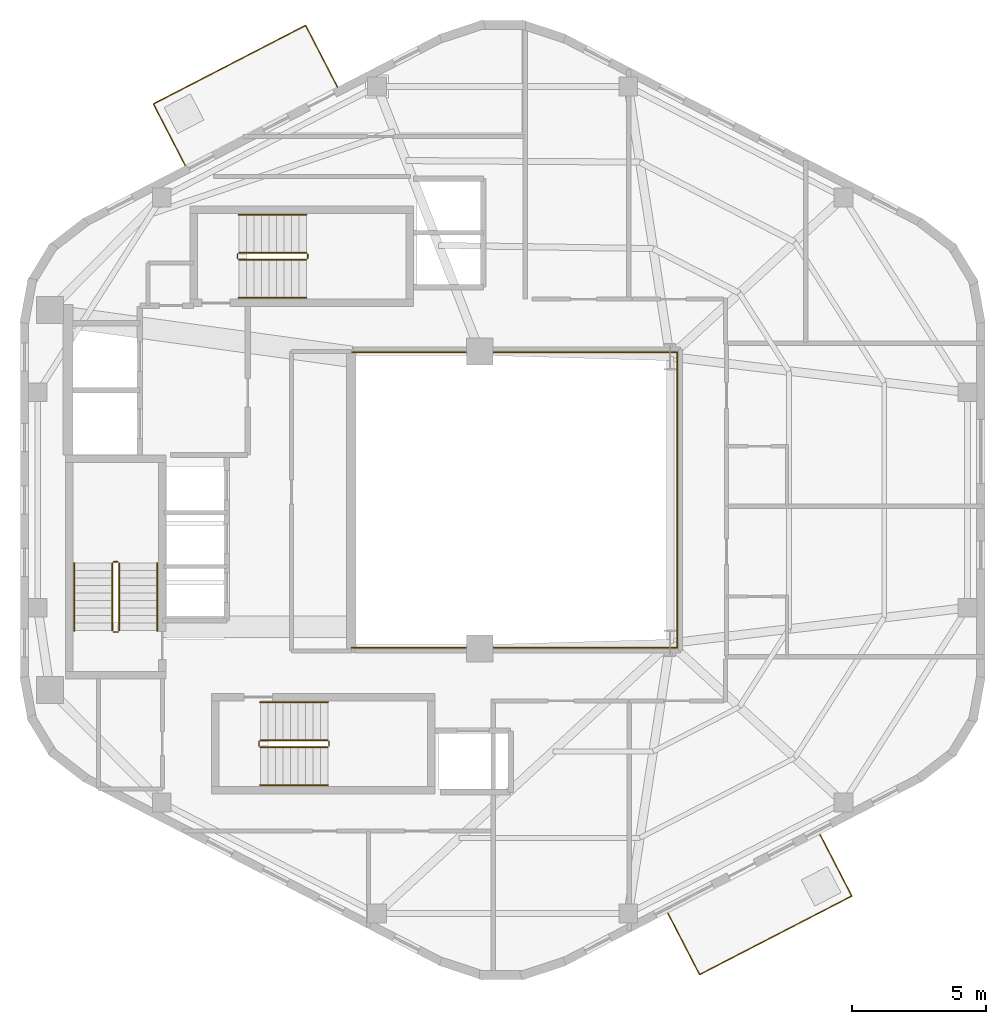
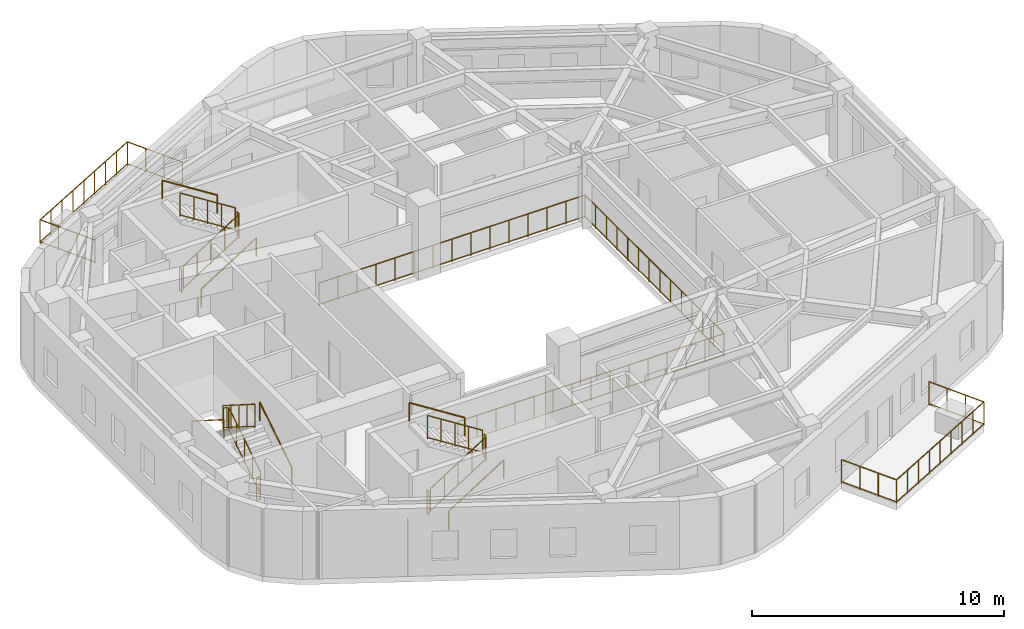
# One storey, part 6 of 7: 21 railings.
"""IFC4 building model written with IfcOpenShell, lengths in metres."""

from ifc_helpers import new_model, si_unit, direction, frame, origin, origin_2d, place, context, subcontext, project, spatial, circle, extrude, material, type_object, element, save


model = new_model("IFC4")

# Units and contexts
model_context = context("Model", 3, precision=1e-05, world=origin(), true_north=direction((0.0, 1.0)))
body_context = subcontext(model_context, "Body", "Model", "MODEL_VIEW")
ifc_project = project(units=[si_unit("LENGTHUNIT", "METRE"), si_unit("AREAUNIT", "SQUARE_METRE"), si_unit("VOLUMEUNIT", "CUBIC_METRE"), si_unit("PLANEANGLEUNIT", "RADIAN"), si_unit("MASSUNIT", "GRAM", prefix="KILO"), si_unit("THERMODYNAMICTEMPERATUREUNIT", "KELVIN"), si_unit("POWERUNIT", "WATT")], contexts=[model_context])

# Site, building, storey
site_placement = place(None, origin())
site = spatial("IfcSite", under=ifc_project, at=site_placement, CompositionType="ELEMENT")
building_placement = place(site_placement, origin())
building = spatial("IfcBuilding", under=site, at=building_placement, Name="Skarre Station Tower", CompositionType="ELEMENT")
storey_placement = place(building_placement, frame((0.0, 0.0, 249.0)))
storey = spatial("IfcBuildingStorey", under=building, at=storey_placement, Name="L68", CompositionType="ELEMENT", Elevation=249.0)

# Railings
ifc_material_1 = material(Name="Bronze Anodized Steel & Laminated Glass Balustrade", Category="steel")
railing_type_1 = type_object("IfcRailingType", Name="Atrium Void & Mezzanine Guard Balustrade 1120", PredefinedType="GUARDRAIL", material=ifc_material_1)
railing_1_placement = place(storey_placement, frame((27.550048828125, 18.47998046875, 0.0)))
element("IfcRailing", 1, at=railing_1_placement, inside=storey, type_object=railing_type_1, Name="L68 Atrium Void Guard Balustrade", PredefinedType="GUARDRAIL", context=body_context, shape_type="SweptSolid", body=[
    extrude(circle(Radius=0.02392578125, at=origin_2d()), frame((0.0, 0.0, 1.09619140625), z_axis=(1.0, 0.0, 0.0), x_axis=(0.0, 1.0, 0.0)), (0.0, 0.0, 1.0), 12.169921875),
    extrude(circle(Radius=0.02099609375, at=origin_2d()), frame((0.0, 0.0, 0.06005859375), z_axis=(1.0, 0.0, 0.0), x_axis=(0.0, 1.0, 0.0)), (0.0, 0.0, 1.0), 12.169921875),
    extrude(circle(Radius=0.02392578125, at=origin_2d()), frame((12.169921875, 0.0, 1.09619140625), z_axis=(0.0, 1.0, 0.0), x_axis=(-1.0, 0.0, 0.0)), (0.0, 0.0, 1.0), 11.0400390625),
    extrude(circle(Radius=0.02099609375, at=origin_2d()), frame((12.169921875, 0.0, 0.06005859375), z_axis=(0.0, 1.0, 0.0), x_axis=(-1.0, 0.0, 0.0)), (0.0, 0.0, 1.0), 11.0400390625),
    extrude(circle(Radius=0.02392578125, at=origin_2d()), frame((12.169921875, 11.0400390625, 1.09619140625), z_axis=(-1.0, 0.0, 0.0), x_axis=(0.0, -1.0, 0.0)), (0.0, 0.0, 1.0), 12.169921875),
    extrude(circle(Radius=0.02099609375, at=origin_2d()), frame((12.169921875, 11.0400390625, 0.06005859375), z_axis=(-1.0, 0.0, 0.0), x_axis=(0.0, -1.0, 0.0)), (0.0, 0.0, 1.0), 12.169921875),
    extrude(circle(Radius=0.02099609375, at=origin_2d()), origin(), (0.0, 0.0, 1.0), 1.072021484375),
    extrude(circle(Radius=0.02099609375, at=origin_2d()), frame((0.869384765625, 0.0, 0.0)), (0.0, 0.0, 1.0), 1.072021484375),
    extrude(circle(Radius=0.02099609375, at=origin_2d()), frame((1.738525390625, 0.0, 0.0)), (0.0, 0.0, 1.0), 1.072021484375),
    extrude(circle(Radius=0.02099609375, at=origin_2d()), frame((2.60791015625, 0.0, 0.0)), (0.0, 0.0, 1.0), 1.072021484375),
    extrude(circle(Radius=0.02099609375, at=origin_2d()), frame((3.47705078125, 0.0, 0.0)), (0.0, 0.0, 1.0), 1.072021484375),
    extrude(circle(Radius=0.02099609375, at=origin_2d()), frame((4.346435546875, 0.0, 0.0)), (0.0, 0.0, 1.0), 1.072021484375),
    extrude(circle(Radius=0.02099609375, at=origin_2d()), frame((5.215576171875, 0.0, 0.0)), (0.0, 0.0, 1.0), 1.072021484375),
    extrude(circle(Radius=0.02099609375, at=origin_2d()), frame((6.0849609375, 0.0, 0.0)), (0.0, 0.0, 1.0), 1.072021484375),
    extrude(circle(Radius=0.02099609375, at=origin_2d()), frame((6.954345703125, 0.0, 0.0)), (0.0, 0.0, 1.0), 1.072021484375),
    extrude(circle(Radius=0.02099609375, at=origin_2d()), frame((7.823486328125, 0.0, 0.0)), (0.0, 0.0, 1.0), 1.072021484375),
    extrude(circle(Radius=0.02099609375, at=origin_2d()), frame((8.69287109375, 0.0, 0.0)), (0.0, 0.0, 1.0), 1.072021484375),
    extrude(circle(Radius=0.02099609375, at=origin_2d()), frame((9.56201171875, 0.0, 0.0)), (0.0, 0.0, 1.0), 1.072021484375),
    extrude(circle(Radius=0.02099609375, at=origin_2d()), frame((10.431396484375, 0.0, 0.0)), (0.0, 0.0, 1.0), 1.072021484375),
    extrude(circle(Radius=0.02099609375, at=origin_2d()), frame((11.300537109375, 0.0, 0.0)), (0.0, 0.0, 1.0), 1.072021484375),
    extrude(circle(Radius=0.02099609375, at=origin_2d()), frame((12.169921875, 0.0, 0.0)), (0.0, 0.0, 1.0), 1.072021484375),
    extrude(circle(Radius=0.02099609375, at=origin_2d()), frame((12.169921875, 0.84912109375, 0.0)), (0.0, 0.0, 1.0), 1.072021484375),
    extrude(circle(Radius=0.02099609375, at=origin_2d()), frame((12.169921875, 1.698486328125, 0.0)), (0.0, 0.0, 1.0), 1.072021484375),
    extrude(circle(Radius=0.02099609375, at=origin_2d()), frame((12.169921875, 2.547607421875, 0.0)), (0.0, 0.0, 1.0), 1.072021484375),
    extrude(circle(Radius=0.02099609375, at=origin_2d()), frame((12.169921875, 3.39697265625, 0.0)), (0.0, 0.0, 1.0), 1.072021484375),
    extrude(circle(Radius=0.02099609375, at=origin_2d()), frame((12.169921875, 4.24609375, 0.0)), (0.0, 0.0, 1.0), 1.072021484375),
    extrude(circle(Radius=0.02099609375, at=origin_2d()), frame((12.169921875, 5.095458984375, 0.0)), (0.0, 0.0, 1.0), 1.072021484375),
    extrude(circle(Radius=0.02099609375, at=origin_2d()), frame((12.169921875, 5.944580078125, 0.0)), (0.0, 0.0, 1.0), 1.072021484375),
    extrude(circle(Radius=0.02099609375, at=origin_2d()), frame((12.169921875, 6.7939453125, 0.0)), (0.0, 0.0, 1.0), 1.072021484375),
    extrude(circle(Radius=0.02099609375, at=origin_2d()), frame((12.169921875, 7.64306640625, 0.0)), (0.0, 0.0, 1.0), 1.072021484375),
    extrude(circle(Radius=0.02099609375, at=origin_2d()), frame((12.169921875, 8.492431640625, 0.0)), (0.0, 0.0, 1.0), 1.072021484375),
    extrude(circle(Radius=0.02099609375, at=origin_2d()), frame((12.169921875, 9.341552734375, 0.0)), (0.0, 0.0, 1.0), 1.072021484375),
    extrude(circle(Radius=0.02099609375, at=origin_2d()), frame((12.169921875, 10.19091796875, 0.0)), (0.0, 0.0, 1.0), 1.072021484375),
    extrude(circle(Radius=0.02099609375, at=origin_2d()), frame((12.169921875, 11.0400390625, 0.0)), (0.0, 0.0, 1.0), 1.072021484375),
    extrude(circle(Radius=0.02099609375, at=origin_2d()), frame((11.300537109375, 11.0400390625, 0.0)), (0.0, 0.0, 1.0), 1.072021484375),
    extrude(circle(Radius=0.02099609375, at=origin_2d()), frame((10.431396484375, 11.0400390625, 0.0)), (0.0, 0.0, 1.0), 1.072021484375),
    extrude(circle(Radius=0.02099609375, at=origin_2d()), frame((9.56201171875, 11.0400390625, 0.0)), (0.0, 0.0, 1.0), 1.072021484375),
    extrude(circle(Radius=0.02099609375, at=origin_2d()), frame((8.69287109375, 11.0400390625, 0.0)), (0.0, 0.0, 1.0), 1.072021484375),
    extrude(circle(Radius=0.02099609375, at=origin_2d()), frame((7.823486328125, 11.0400390625, 0.0)), (0.0, 0.0, 1.0), 1.072021484375),
    extrude(circle(Radius=0.02099609375, at=origin_2d()), frame((6.954345703125, 11.0400390625, 0.0)), (0.0, 0.0, 1.0), 1.072021484375),
    extrude(circle(Radius=0.02099609375, at=origin_2d()), frame((6.0849609375, 11.0400390625, 0.0)), (0.0, 0.0, 1.0), 1.072021484375),
    extrude(circle(Radius=0.02099609375, at=origin_2d()), frame((5.215576171875, 11.0400390625, 0.0)), (0.0, 0.0, 1.0), 1.072021484375),
    extrude(circle(Radius=0.02099609375, at=origin_2d()), frame((4.346435546875, 11.0400390625, 0.0)), (0.0, 0.0, 1.0), 1.072021484375),
    extrude(circle(Radius=0.02099609375, at=origin_2d()), frame((3.47705078125, 11.0400390625, 0.0)), (0.0, 0.0, 1.0), 1.072021484375),
    extrude(circle(Radius=0.02099609375, at=origin_2d()), frame((2.60791015625, 11.0400390625, 0.0)), (0.0, 0.0, 1.0), 1.072021484375),
    extrude(circle(Radius=0.02099609375, at=origin_2d()), frame((1.738525390625, 11.0400390625, 0.0)), (0.0, 0.0, 1.0), 1.072021484375),
    extrude(circle(Radius=0.02099609375, at=origin_2d()), frame((0.869384765625, 11.0400390625, 0.0)), (0.0, 0.0, 1.0), 1.072021484375),
    extrude(circle(Radius=0.02099609375, at=origin_2d()), frame((0.0, 11.0400390625, 0.0)), (0.0, 0.0, 1.0), 1.072021484375),
])
ifc_material_2 = material(Name="Stainless Steel Grade 316L & Laminated Safety Glass", Category="steel")
railing_type_2 = type_object("IfcRailingType", Name="Laminated Glass & Stainless Terrace Guardrail 1150", PredefinedType="BALUSTRADE", material=ifc_material_2)
railing_2_placement = place(storey_placement, frame((27.031982421875, 39.427001953125, 0.0)))
element("IfcRailing", 2, at=railing_2_placement, inside=storey, type_object=railing_type_2, Name="L68 TB-L68-F1 Tree-Balcony Guardrail", PredefinedType="BALUSTRADE", context=body_context, shape_type="SweptSolid", body=[
    extrude(circle(Radius=0.02392578125, at=origin_2d()), frame((0.0, 0.0, 1.1259765625), z_axis=(-0.458753384133, 0.888563634495, 0.0), x_axis=(-0.888563634495, -0.458753384133, 0.0)), (0.0, 0.0, 1.0), 2.589599609375),
    extrude(circle(Radius=0.02099609375, at=origin_2d()), frame((0.0, 0.0, 0.06005859375), z_axis=(-0.458753384133, 0.888563634495, 0.0), x_axis=(-0.888563634495, -0.458753384133, 0.0)), (0.0, 0.0, 1.0), 2.589599609375),
    extrude(circle(Radius=0.02392578125, at=origin_2d()), frame((-1.18798828125, 2.301025390625, 1.1259765625), z_axis=(-0.888569497845, -0.458742027178, 0.0), x_axis=(0.458742027178, -0.888569497845, 0.0)), (0.0, 0.0, 1.0), 6.400146484375),
    extrude(circle(Radius=0.02099609375, at=origin_2d()), frame((-1.18798828125, 2.301025390625, 0.06005859375), z_axis=(-0.888569497845, -0.458742027178, 0.0), x_axis=(0.458742027178, -0.888569497845, 0.0)), (0.0, 0.0, 1.0), 6.400146484375),
    extrude(circle(Radius=0.02392578125, at=origin_2d()), frame((-6.875, -0.635009765625, 1.1259765625), z_axis=(0.458753384133, -0.888563634495, 0.0), x_axis=(0.888563634495, 0.458753384133, 0.0)), (0.0, 0.0, 1.0), 2.589599609375),
    extrude(circle(Radius=0.02099609375, at=origin_2d()), frame((-6.875, -0.635009765625, 0.06005859375), z_axis=(0.458753384133, -0.888563634495, 0.0), x_axis=(0.888563634495, 0.458753384133, 0.0)), (0.0, 0.0, 1.0), 2.589599609375),
    extrude(circle(Radius=0.02099609375, at=origin_2d()), origin(), (0.0, 0.0, 1.0), 1.101806640625),
    extrude(circle(Radius=0.02099609375, at=origin_2d()), frame((-0.39599609375, 0.76708984375, 0.0)), (0.0, 0.0, 1.0), 1.101806640625),
    extrude(circle(Radius=0.02099609375, at=origin_2d()), frame((-0.7919921875, 1.533935546875, 0.0)), (0.0, 0.0, 1.0), 1.101806640625),
    extrude(circle(Radius=0.02099609375, at=origin_2d()), frame((-1.18798828125, 2.301025390625, 0.0)), (0.0, 0.0, 1.0), 1.101806640625),
    extrude(circle(Radius=0.02099609375, at=origin_2d()), frame((-1.89892578125, 1.93408203125, 0.0)), (0.0, 0.0, 1.0), 1.101806640625),
    extrude(circle(Radius=0.02099609375, at=origin_2d()), frame((-2.60986328125, 1.56689453125, 0.0)), (0.0, 0.0, 1.0), 1.101806640625),
    extrude(circle(Radius=0.02099609375, at=origin_2d()), frame((-3.320556640625, 1.199951171875, 0.0)), (0.0, 0.0, 1.0), 1.101806640625),
    extrude(circle(Radius=0.02099609375, at=origin_2d()), frame((-4.031494140625, 0.8330078125, 0.0)), (0.0, 0.0, 1.0), 1.101806640625),
    extrude(circle(Radius=0.02099609375, at=origin_2d()), frame((-4.742431640625, 0.466064453125, 0.0)), (0.0, 0.0, 1.0), 1.101806640625),
    extrude(circle(Radius=0.02099609375, at=origin_2d()), frame((-5.453125, 0.09912109375, 0.0)), (0.0, 0.0, 1.0), 1.101806640625),
    extrude(circle(Radius=0.02099609375, at=origin_2d()), frame((-6.1640625, -0.26806640625, 0.0)), (0.0, 0.0, 1.0), 1.101806640625),
    extrude(circle(Radius=0.02099609375, at=origin_2d()), frame((-6.875, -0.635009765625, 0.0)), (0.0, 0.0, 1.0), 1.101806640625),
    extrude(circle(Radius=0.02099609375, at=origin_2d()), frame((-6.47900390625, -1.402099609375, 0.0)), (0.0, 0.0, 1.0), 1.101806640625),
    extrude(circle(Radius=0.02099609375, at=origin_2d()), frame((-6.0830078125, -2.1689453125, 0.0)), (0.0, 0.0, 1.0), 1.101806640625),
    extrude(circle(Radius=0.02099609375, at=origin_2d()), frame((-5.68701171875, -2.93603515625, 0.0)), (0.0, 0.0, 1.0), 1.101806640625),
])
railing_3_placement = place(storey_placement, frame((39.367919921875, 8.572998046875, 0.0)))
element("IfcRailing", 3, at=railing_3_placement, inside=storey, type_object=railing_type_2, Name="L68 TB-L68-F4 Tree-Balcony Guardrail", PredefinedType="BALUSTRADE", context=body_context, shape_type="SweptSolid", body=[
    extrude(circle(Radius=0.02392578125, at=origin_2d()), frame((0.0, 0.0, 1.1259765625), z_axis=(0.458753384133, -0.888563634495, 0.0), x_axis=(0.888563634495, 0.458753384133, 0.0)), (0.0, 0.0, 1.0), 2.589599609375),
    extrude(circle(Radius=0.02099609375, at=origin_2d()), frame((0.0, 0.0, 0.06005859375), z_axis=(0.458753384133, -0.888563634495, 0.0), x_axis=(0.888563634495, 0.458753384133, 0.0)), (0.0, 0.0, 1.0), 2.589599609375),
    extrude(circle(Radius=0.02392578125, at=origin_2d()), frame((1.18798828125, -2.301025390625, 1.1259765625), z_axis=(0.888569497845, 0.458742027178, 0.0), x_axis=(-0.458742027178, 0.888569497845, 0.0)), (0.0, 0.0, 1.0), 6.400146484375),
    extrude(circle(Radius=0.02099609375, at=origin_2d()), frame((1.18798828125, -2.301025390625, 0.06005859375), z_axis=(0.888569497845, 0.458742027178, 0.0), x_axis=(-0.458742027178, 0.888569497845, 0.0)), (0.0, 0.0, 1.0), 6.400146484375),
    extrude(circle(Radius=0.02392578125, at=origin_2d()), frame((6.875, 0.635009765625, 1.1259765625), z_axis=(-0.458753384133, 0.888563634495, 0.0), x_axis=(-0.888563634495, -0.458753384133, 0.0)), (0.0, 0.0, 1.0), 2.589599609375),
    extrude(circle(Radius=0.02099609375, at=origin_2d()), frame((6.875, 0.635009765625, 0.06005859375), z_axis=(-0.458753384133, 0.888563634495, 0.0), x_axis=(-0.888563634495, -0.458753384133, 0.0)), (0.0, 0.0, 1.0), 2.589599609375),
    extrude(circle(Radius=0.02099609375, at=origin_2d()), origin(), (0.0, 0.0, 1.0), 1.101806640625),
    extrude(circle(Radius=0.02099609375, at=origin_2d()), frame((0.39599609375, -0.76708984375, 0.0)), (0.0, 0.0, 1.0), 1.101806640625),
    extrude(circle(Radius=0.02099609375, at=origin_2d()), frame((0.7919921875, -1.533935546875, 0.0)), (0.0, 0.0, 1.0), 1.101806640625),
    extrude(circle(Radius=0.02099609375, at=origin_2d()), frame((1.18798828125, -2.301025390625, 0.0)), (0.0, 0.0, 1.0), 1.101806640625),
    extrude(circle(Radius=0.02099609375, at=origin_2d()), frame((1.89892578125, -1.93408203125, 0.0)), (0.0, 0.0, 1.0), 1.101806640625),
    extrude(circle(Radius=0.02099609375, at=origin_2d()), frame((2.60986328125, -1.56689453125, 0.0)), (0.0, 0.0, 1.0), 1.101806640625),
    extrude(circle(Radius=0.02099609375, at=origin_2d()), frame((3.320556640625, -1.199951171875, 0.0)), (0.0, 0.0, 1.0), 1.101806640625),
    extrude(circle(Radius=0.02099609375, at=origin_2d()), frame((4.031494140625, -0.8330078125, 0.0)), (0.0, 0.0, 1.0), 1.101806640625),
    extrude(circle(Radius=0.02099609375, at=origin_2d()), frame((4.742431640625, -0.466064453125, 0.0)), (0.0, 0.0, 1.0), 1.101806640625),
    extrude(circle(Radius=0.02099609375, at=origin_2d()), frame((5.453125, -0.09912109375, 0.0)), (0.0, 0.0, 1.0), 1.101806640625),
    extrude(circle(Radius=0.02099609375, at=origin_2d()), frame((6.1640625, 0.26806640625, 0.0)), (0.0, 0.0, 1.0), 1.101806640625),
    extrude(circle(Radius=0.02099609375, at=origin_2d()), frame((6.875, 0.635009765625, 0.0)), (0.0, 0.0, 1.0), 1.101806640625),
    extrude(circle(Radius=0.02099609375, at=origin_2d()), frame((6.47900390625, 1.402099609375, 0.0)), (0.0, 0.0, 1.0), 1.101806640625),
    extrude(circle(Radius=0.02099609375, at=origin_2d()), frame((6.0830078125, 2.1689453125, 0.0)), (0.0, 0.0, 1.0), 1.101806640625),
    extrude(circle(Radius=0.02099609375, at=origin_2d()), frame((5.68701171875, 2.93603515625, 0.0)), (0.0, 0.0, 1.0), 1.101806640625),
])
ifc_material_3 = material(Name="Powder-Coated Tubular Steel", Category="steel")
railing_type_3 = type_object("IfcRailingType", Name="Painted Steel Ramp & Stair Handrail 920", PredefinedType="HANDRAIL", material=ifc_material_3)
railing_4_placement = place(storey_placement, frame((20.300048828125, 19.1201171875, 0.177490234375)))
element("IfcRailing", 4, at=railing_4_placement, inside=storey, type_object=railing_type_3, Name="L68 ST-1 stair handrail 1", PredefinedType="HANDRAIL", context=body_context, shape_type="SweptSolid", body=[
    extrude(circle(Radius=0.02392578125, at=origin_2d()), frame((0.0, 0.0, 0.8759765625), z_axis=(0.0, 0.844583492756, 0.535423872987), x_axis=(-1.0, 0.0, 0.0)), (0.0, 0.0, 1.0), 2.9833984375),
    extrude(circle(Radius=0.02099609375, at=origin_2d()), origin(), (0.0, 0.0, 1.0), 0.851806640625),
    extrude(circle(Radius=0.02099609375, at=origin_2d()), frame((0.0, 2.519775390625, 1.597412109375)), (0.0, 0.0, 1.0), 0.851806640625),
])
railing_5_placement = place(storey_placement, frame((17.199951171875, 21.639892578125, 1.952392578125)))
element("IfcRailing", 5, at=railing_5_placement, inside=storey, type_object=railing_type_3, Name="L68 ST-1 stair handrail 2", PredefinedType="HANDRAIL", context=body_context, shape_type="SweptSolid", body=[
    extrude(circle(Radius=0.02392578125, at=origin_2d()), frame((0.0, 0.0, 0.8759765625), z_axis=(0.0, -0.844546487299, 0.535482241341), x_axis=(1.0, 0.0, 0.0)), (0.0, 0.0, 1.0), 2.983642578125),
    extrude(circle(Radius=0.02099609375, at=origin_2d()), origin(), (0.0, 0.0, 1.0), 0.851806640625),
    extrude(circle(Radius=0.02099609375, at=origin_2d()), frame((0.0, -2.519775390625, 1.59765625)), (0.0, 0.0, 1.0), 0.851806640625),
])
railing_6_placement = place(storey_placement, frame((24.14990234375, 13.35009765625, 0.177490234375)))
element("IfcRailing", 6, at=railing_6_placement, inside=storey, type_object=railing_type_3, Name="L68 ST-2 stair handrail 1", PredefinedType="HANDRAIL", context=body_context, shape_type="SweptSolid", body=[
    extrude(circle(Radius=0.02392578125, at=origin_2d()), frame((0.0, 0.0, 0.8759765625), z_axis=(0.84460694969, 0.0, 0.535386869969), x_axis=(0.0, 1.0, 0.0)), (0.0, 0.0, 1.0), 2.983642578125),
    extrude(circle(Radius=0.02099609375, at=origin_2d()), origin(), (0.0, 0.0, 1.0), 0.851806640625),
    extrude(circle(Radius=0.02099609375, at=origin_2d()), frame((2.52001953125, 0.0, 1.597412109375)), (0.0, 0.0, 1.0), 0.851806640625),
])
railing_7_placement = place(storey_placement, frame((26.669921875, 16.449951171875, 1.952392578125)))
element("IfcRailing", 7, at=railing_7_placement, inside=storey, type_object=railing_type_3, Name="L68 ST-2 stair handrail 2", PredefinedType="HANDRAIL", context=body_context, shape_type="SweptSolid", body=[
    extrude(circle(Radius=0.02392578125, at=origin_2d()), frame((0.0, 0.0, 0.8759765625), z_axis=(-0.84456994832, 0.0, 0.535445237532), x_axis=(0.0, -1.0, 0.0)), (0.0, 0.0, 1.0), 2.98388671875),
    extrude(circle(Radius=0.02099609375, at=origin_2d()), origin(), (0.0, 0.0, 1.0), 0.851806640625),
    extrude(circle(Radius=0.02099609375, at=origin_2d()), frame((-2.52001953125, 0.0, 1.59765625)), (0.0, 0.0, 1.0), 0.851806640625),
])
railing_8_placement = place(storey_placement, frame((23.35009765625, 31.550048828125, 0.177490234375)))
element("IfcRailing", 8, at=railing_8_placement, inside=storey, type_object=railing_type_3, Name="L68 ST-3 stair handrail 1", PredefinedType="HANDRAIL", context=body_context, shape_type="SweptSolid", body=[
    extrude(circle(Radius=0.02392578125, at=origin_2d()), frame((0.0, 0.0, 0.8759765625), z_axis=(0.84460694969, 0.0, 0.535386869969), x_axis=(0.0, 1.0, 0.0)), (0.0, 0.0, 1.0), 2.983642578125),
    extrude(circle(Radius=0.02099609375, at=origin_2d()), origin(), (0.0, 0.0, 1.0), 0.851806640625),
    extrude(circle(Radius=0.02099609375, at=origin_2d()), frame((2.52001953125, 0.0, 1.597412109375)), (0.0, 0.0, 1.0), 0.851806640625),
])
railing_9_placement = place(storey_placement, frame((25.8701171875, 34.64990234375, 1.952392578125)))
element("IfcRailing", 9, at=railing_9_placement, inside=storey, type_object=railing_type_3, Name="L68 ST-3 stair handrail 2", PredefinedType="HANDRAIL", context=body_context, shape_type="SweptSolid", body=[
    extrude(circle(Radius=0.02392578125, at=origin_2d()), frame((0.0, 0.0, 0.8759765625), z_axis=(-0.84456994832, 0.0, 0.535445237532), x_axis=(0.0, -1.0, 0.0)), (0.0, 0.0, 1.0), 2.98388671875),
    extrude(circle(Radius=0.02099609375, at=origin_2d()), origin(), (0.0, 0.0, 1.0), 0.851806640625),
    extrude(circle(Radius=0.02099609375, at=origin_2d()), frame((-2.52001953125, 0.0, 1.59765625)), (0.0, 0.0, 1.0), 0.851806640625),
])
railing_type_4 = type_object("IfcRailingType", Name="Painted Steel Stairwell Guardrail 1100", PredefinedType="GUARDRAIL", material=ifc_material_3)
railing_10_placement = place(storey_placement, frame((18.8798828125, 19.1201171875, 0.177490234375)))
element("IfcRailing", 10, at=railing_10_placement, inside=storey, type_object=railing_type_4, Name="L68 ST-1 stair guard 1", PredefinedType="GUARDRAIL", context=body_context, shape_type="SweptSolid", body=[
    extrude(circle(Radius=0.02392578125, at=origin_2d()), frame((0.0, 0.0, 1.1259765625), z_axis=(0.0, 0.844583492756, 0.535423872987), x_axis=(-1.0, 0.0, 0.0)), (0.0, 0.0, 1.0), 2.9833984375),
    extrude(circle(Radius=0.02099609375, at=origin_2d()), frame((0.0, 0.0, 0.06005859375), z_axis=(0.0, 0.844583492756, 0.535423872987), x_axis=(-1.0, 0.0, 0.0)), (0.0, 0.0, 1.0), 2.9833984375),
    extrude(circle(Radius=0.02099609375, at=origin_2d()), origin(), (0.0, 0.0, 1.0), 1.101806640625),
    extrude(circle(Radius=0.02099609375, at=origin_2d()), frame((0.0, 0.6298828125, 0.3994140625)), (0.0, 0.0, 1.0), 1.101806640625),
    extrude(circle(Radius=0.02099609375, at=origin_2d()), frame((0.0, 1.259765625, 0.798828125)), (0.0, 0.0, 1.0), 1.101806640625),
    extrude(circle(Radius=0.02099609375, at=origin_2d()), frame((0.0, 1.889892578125, 1.197998046875)), (0.0, 0.0, 1.0), 1.101806640625),
    extrude(circle(Radius=0.02099609375, at=origin_2d()), frame((0.0, 2.519775390625, 1.597412109375)), (0.0, 0.0, 1.0), 1.101806640625),
])
railing_11_placement = place(storey_placement, frame((18.830078125, 21.68994140625, 1.77490234375)))
element("IfcRailing", 11, at=railing_11_placement, inside=storey, type_object=railing_type_4, Name="L68 ST-1 stair guard 2", PredefinedType="GUARDRAIL", context=body_context, shape_type="SweptSolid", body=[
    extrude(circle(Radius=0.02392578125, at=origin_2d()), frame((0.0, 0.0, 1.1259765625), z_axis=(-1.0, 0.0, 0.0), x_axis=(0.0, -1.0, 0.0)), (0.0, 0.0, 1.0), 0.16015625),
    extrude(circle(Radius=0.02099609375, at=origin_2d()), frame((0.0, 0.0, 0.06005859375), z_axis=(-1.0, 0.0, 0.0), x_axis=(0.0, -1.0, 0.0)), (0.0, 0.0, 1.0), 0.16015625),
    extrude(circle(Radius=0.02099609375, at=origin_2d()), origin(), (0.0, 0.0, 1.0), 1.101806640625),
    extrude(circle(Radius=0.02099609375, at=origin_2d()), frame((-0.16015625, 0.0, 0.0)), (0.0, 0.0, 1.0), 1.101806640625),
])
railing_12_placement = place(storey_placement, frame((18.6201171875, 21.639892578125, 1.952392578125)))
element("IfcRailing", 12, at=railing_12_placement, inside=storey, type_object=railing_type_4, Name="L68 ST-1 stair guard 3", PredefinedType="GUARDRAIL", context=body_context, shape_type="SweptSolid", body=[
    extrude(circle(Radius=0.02392578125, at=origin_2d()), frame((0.0, 0.0, 1.1259765625), z_axis=(0.0, -0.844546487299, 0.535482241341), x_axis=(1.0, 0.0, 0.0)), (0.0, 0.0, 1.0), 2.983642578125),
    extrude(circle(Radius=0.02099609375, at=origin_2d()), frame((0.0, 0.0, 0.06005859375), z_axis=(0.0, -0.844546487299, 0.535482241341), x_axis=(1.0, 0.0, 0.0)), (0.0, 0.0, 1.0), 2.983642578125),
    extrude(circle(Radius=0.02099609375, at=origin_2d()), origin(), (0.0, 0.0, 1.0), 1.101806640625),
    extrude(circle(Radius=0.02099609375, at=origin_2d()), frame((0.0, -0.6298828125, 0.3994140625)), (0.0, 0.0, 1.0), 1.101806640625),
    extrude(circle(Radius=0.02099609375, at=origin_2d()), frame((0.0, -1.259765625, 0.798828125)), (0.0, 0.0, 1.0), 1.101806640625),
    extrude(circle(Radius=0.02099609375, at=origin_2d()), frame((0.0, -1.889892578125, 1.1982421875)), (0.0, 0.0, 1.0), 1.101806640625),
    extrude(circle(Radius=0.02099609375, at=origin_2d()), frame((0.0, -2.519775390625, 1.59765625)), (0.0, 0.0, 1.0), 1.101806640625),
])
railing_13_placement = place(storey_placement, frame((18.830078125, 19.070068359375, 0.0)))
element("IfcRailing", 13, at=railing_13_placement, inside=storey, type_object=railing_type_4, Name="L68 ST-1 stair guard 4", PredefinedType="GUARDRAIL", context=body_context, shape_type="SweptSolid", body=[
    extrude(circle(Radius=0.02392578125, at=origin_2d()), frame((0.0, 0.0, 1.1259765625), z_axis=(-1.0, 0.0, 0.0), x_axis=(0.0, -1.0, 0.0)), (0.0, 0.0, 1.0), 0.16015625),
    extrude(circle(Radius=0.02099609375, at=origin_2d()), frame((0.0, 0.0, 0.06005859375), z_axis=(-1.0, 0.0, 0.0), x_axis=(0.0, -1.0, 0.0)), (0.0, 0.0, 1.0), 0.16015625),
    extrude(circle(Radius=0.02099609375, at=origin_2d()), origin(), (0.0, 0.0, 1.0), 1.101806640625),
    extrude(circle(Radius=0.02099609375, at=origin_2d()), frame((-0.16015625, 0.0, 0.0)), (0.0, 0.0, 1.0), 1.101806640625),
])
railing_14_placement = place(storey_placement, frame((24.14990234375, 14.77001953125, 0.177490234375)))
element("IfcRailing", 14, at=railing_14_placement, inside=storey, type_object=railing_type_4, Name="L68 ST-2 stair guard 1", PredefinedType="GUARDRAIL", context=body_context, shape_type="SweptSolid", body=[
    extrude(circle(Radius=0.02392578125, at=origin_2d()), frame((0.0, 0.0, 1.1259765625), z_axis=(0.84460694969, 0.0, 0.535386869969), x_axis=(0.0, 1.0, 0.0)), (0.0, 0.0, 1.0), 2.983642578125),
    extrude(circle(Radius=0.02099609375, at=origin_2d()), frame((0.0, 0.0, 0.06005859375), z_axis=(0.84460694969, 0.0, 0.535386869969), x_axis=(0.0, 1.0, 0.0)), (0.0, 0.0, 1.0), 2.983642578125),
    extrude(circle(Radius=0.02099609375, at=origin_2d()), origin(), (0.0, 0.0, 1.0), 1.101806640625),
    extrude(circle(Radius=0.02099609375, at=origin_2d()), frame((0.6298828125, 0.0, 0.3994140625)), (0.0, 0.0, 1.0), 1.101806640625),
    extrude(circle(Radius=0.02099609375, at=origin_2d()), frame((1.260009765625, 0.0, 0.798828125)), (0.0, 0.0, 1.0), 1.101806640625),
    extrude(circle(Radius=0.02099609375, at=origin_2d()), frame((1.89013671875, 0.0, 1.197998046875)), (0.0, 0.0, 1.0), 1.101806640625),
    extrude(circle(Radius=0.02099609375, at=origin_2d()), frame((2.52001953125, 0.0, 1.597412109375)), (0.0, 0.0, 1.0), 1.101806640625),
])
railing_15_placement = place(storey_placement, frame((26.719970703125, 14.820068359375, 1.77490234375)))
element("IfcRailing", 15, at=railing_15_placement, inside=storey, type_object=railing_type_4, Name="L68 ST-2 stair guard 2", PredefinedType="GUARDRAIL", context=body_context, shape_type="SweptSolid", body=[
    extrude(circle(Radius=0.02392578125, at=origin_2d()), frame((0.0, 0.0, 1.1259765625), z_axis=(0.0, 1.0, 0.0), x_axis=(-1.0, 0.0, 0.0)), (0.0, 0.0, 1.0), 0.159912109375),
    extrude(circle(Radius=0.02099609375, at=origin_2d()), frame((0.0, 0.0, 0.06005859375), z_axis=(0.0, 1.0, 0.0), x_axis=(-1.0, 0.0, 0.0)), (0.0, 0.0, 1.0), 0.159912109375),
    extrude(circle(Radius=0.02099609375, at=origin_2d()), origin(), (0.0, 0.0, 1.0), 1.101806640625),
    extrude(circle(Radius=0.02099609375, at=origin_2d()), frame((0.0, 0.159912109375, 0.0)), (0.0, 0.0, 1.0), 1.101806640625),
])
railing_16_placement = place(storey_placement, frame((26.669921875, 15.030029296875, 1.952392578125)))
element("IfcRailing", 16, at=railing_16_placement, inside=storey, type_object=railing_type_4, Name="L68 ST-2 stair guard 3", PredefinedType="GUARDRAIL", context=body_context, shape_type="SweptSolid", body=[
    extrude(circle(Radius=0.02392578125, at=origin_2d()), frame((0.0, 0.0, 1.1259765625), z_axis=(-0.84456994832, 0.0, 0.535445237532), x_axis=(0.0, -1.0, 0.0)), (0.0, 0.0, 1.0), 2.98388671875),
    extrude(circle(Radius=0.02099609375, at=origin_2d()), frame((0.0, 0.0, 0.06005859375), z_axis=(-0.84456994832, 0.0, 0.535445237532), x_axis=(0.0, -1.0, 0.0)), (0.0, 0.0, 1.0), 2.98388671875),
    extrude(circle(Radius=0.02099609375, at=origin_2d()), origin(), (0.0, 0.0, 1.0), 1.101806640625),
    extrude(circle(Radius=0.02099609375, at=origin_2d()), frame((-0.6298828125, 0.0, 0.3994140625)), (0.0, 0.0, 1.0), 1.101806640625),
    extrude(circle(Radius=0.02099609375, at=origin_2d()), frame((-1.260009765625, 0.0, 0.798828125)), (0.0, 0.0, 1.0), 1.101806640625),
    extrude(circle(Radius=0.02099609375, at=origin_2d()), frame((-1.89013671875, 0.0, 1.1982421875)), (0.0, 0.0, 1.0), 1.101806640625),
    extrude(circle(Radius=0.02099609375, at=origin_2d()), frame((-2.52001953125, 0.0, 1.59765625)), (0.0, 0.0, 1.0), 1.101806640625),
])
railing_17_placement = place(storey_placement, frame((24.10009765625, 14.820068359375, 0.0)))
element("IfcRailing", 17, at=railing_17_placement, inside=storey, type_object=railing_type_4, Name="L68 ST-2 stair guard 4", PredefinedType="GUARDRAIL", context=body_context, shape_type="SweptSolid", body=[
    extrude(circle(Radius=0.02392578125, at=origin_2d()), frame((0.0, 0.0, 1.1259765625), z_axis=(0.0, 1.0, 0.0), x_axis=(-1.0, 0.0, 0.0)), (0.0, 0.0, 1.0), 0.159912109375),
    extrude(circle(Radius=0.02099609375, at=origin_2d()), frame((0.0, 0.0, 0.06005859375), z_axis=(0.0, 1.0, 0.0), x_axis=(-1.0, 0.0, 0.0)), (0.0, 0.0, 1.0), 0.159912109375),
    extrude(circle(Radius=0.02099609375, at=origin_2d()), origin(), (0.0, 0.0, 1.0), 1.101806640625),
    extrude(circle(Radius=0.02099609375, at=origin_2d()), frame((0.0, 0.159912109375, 0.0)), (0.0, 0.0, 1.0), 1.101806640625),
])
railing_18_placement = place(storey_placement, frame((23.35009765625, 32.969970703125, 0.177490234375)))
element("IfcRailing", 18, at=railing_18_placement, inside=storey, type_object=railing_type_4, Name="L68 ST-3 stair guard 1", PredefinedType="GUARDRAIL", context=body_context, shape_type="SweptSolid", body=[
    extrude(circle(Radius=0.02392578125, at=origin_2d()), frame((0.0, 0.0, 1.1259765625), z_axis=(0.84460694969, 0.0, 0.535386869969), x_axis=(0.0, 1.0, 0.0)), (0.0, 0.0, 1.0), 2.983642578125),
    extrude(circle(Radius=0.02099609375, at=origin_2d()), frame((0.0, 0.0, 0.06005859375), z_axis=(0.84460694969, 0.0, 0.535386869969), x_axis=(0.0, 1.0, 0.0)), (0.0, 0.0, 1.0), 2.983642578125),
    extrude(circle(Radius=0.02099609375, at=origin_2d()), origin(), (0.0, 0.0, 1.0), 1.101806640625),
    extrude(circle(Radius=0.02099609375, at=origin_2d()), frame((0.6298828125, 0.0, 0.3994140625)), (0.0, 0.0, 1.0), 1.101806640625),
    extrude(circle(Radius=0.02099609375, at=origin_2d()), frame((1.260009765625, 0.0, 0.798828125)), (0.0, 0.0, 1.0), 1.101806640625),
    extrude(circle(Radius=0.02099609375, at=origin_2d()), frame((1.89013671875, 0.0, 1.197998046875)), (0.0, 0.0, 1.0), 1.101806640625),
    extrude(circle(Radius=0.02099609375, at=origin_2d()), frame((2.52001953125, 0.0, 1.597412109375)), (0.0, 0.0, 1.0), 1.101806640625),
])
railing_19_placement = place(storey_placement, frame((25.919921875, 33.02001953125, 1.77490234375)))
element("IfcRailing", 19, at=railing_19_placement, inside=storey, type_object=railing_type_4, Name="L68 ST-3 stair guard 2", PredefinedType="GUARDRAIL", context=body_context, shape_type="SweptSolid", body=[
    extrude(circle(Radius=0.02392578125, at=origin_2d()), frame((0.0, 0.0, 1.1259765625), z_axis=(0.0, 1.0, 0.0), x_axis=(-1.0, 0.0, 0.0)), (0.0, 0.0, 1.0), 0.159912109375),
    extrude(circle(Radius=0.02099609375, at=origin_2d()), frame((0.0, 0.0, 0.06005859375), z_axis=(0.0, 1.0, 0.0), x_axis=(-1.0, 0.0, 0.0)), (0.0, 0.0, 1.0), 0.159912109375),
    extrude(circle(Radius=0.02099609375, at=origin_2d()), origin(), (0.0, 0.0, 1.0), 1.101806640625),
    extrude(circle(Radius=0.02099609375, at=origin_2d()), frame((0.0, 0.159912109375, 0.0)), (0.0, 0.0, 1.0), 1.101806640625),
])
railing_20_placement = place(storey_placement, frame((25.8701171875, 33.22998046875, 1.952392578125)))
element("IfcRailing", 20, at=railing_20_placement, inside=storey, type_object=railing_type_4, Name="L68 ST-3 stair guard 3", PredefinedType="GUARDRAIL", context=body_context, shape_type="SweptSolid", body=[
    extrude(circle(Radius=0.02392578125, at=origin_2d()), frame((0.0, 0.0, 1.1259765625), z_axis=(-0.84456994832, 0.0, 0.535445237532), x_axis=(0.0, -1.0, 0.0)), (0.0, 0.0, 1.0), 2.98388671875),
    extrude(circle(Radius=0.02099609375, at=origin_2d()), frame((0.0, 0.0, 0.06005859375), z_axis=(-0.84456994832, 0.0, 0.535445237532), x_axis=(0.0, -1.0, 0.0)), (0.0, 0.0, 1.0), 2.98388671875),
    extrude(circle(Radius=0.02099609375, at=origin_2d()), origin(), (0.0, 0.0, 1.0), 1.101806640625),
    extrude(circle(Radius=0.02099609375, at=origin_2d()), frame((-0.6298828125, 0.0, 0.3994140625)), (0.0, 0.0, 1.0), 1.101806640625),
    extrude(circle(Radius=0.02099609375, at=origin_2d()), frame((-1.260009765625, 0.0, 0.798828125)), (0.0, 0.0, 1.0), 1.101806640625),
    extrude(circle(Radius=0.02099609375, at=origin_2d()), frame((-1.89013671875, 0.0, 1.1982421875)), (0.0, 0.0, 1.0), 1.101806640625),
    extrude(circle(Radius=0.02099609375, at=origin_2d()), frame((-2.52001953125, 0.0, 1.59765625)), (0.0, 0.0, 1.0), 1.101806640625),
])
railing_21_placement = place(storey_placement, frame((23.300048828125, 33.02001953125, 0.0)))
element("IfcRailing", 21, at=railing_21_placement, inside=storey, type_object=railing_type_4, Name="L68 ST-3 stair guard 4", PredefinedType="GUARDRAIL", context=body_context, shape_type="SweptSolid", body=[
    extrude(circle(Radius=0.02392578125, at=origin_2d()), frame((0.0, 0.0, 1.1259765625), z_axis=(0.0, 1.0, 0.0), x_axis=(-1.0, 0.0, 0.0)), (0.0, 0.0, 1.0), 0.159912109375),
    extrude(circle(Radius=0.02099609375, at=origin_2d()), frame((0.0, 0.0, 0.06005859375), z_axis=(0.0, 1.0, 0.0), x_axis=(-1.0, 0.0, 0.0)), (0.0, 0.0, 1.0), 0.159912109375),
    extrude(circle(Radius=0.02099609375, at=origin_2d()), origin(), (0.0, 0.0, 1.0), 1.101806640625),
    extrude(circle(Radius=0.02099609375, at=origin_2d()), frame((0.0, 0.159912109375, 0.0)), (0.0, 0.0, 1.0), 1.101806640625),
])

save(model, "model.ifc")
